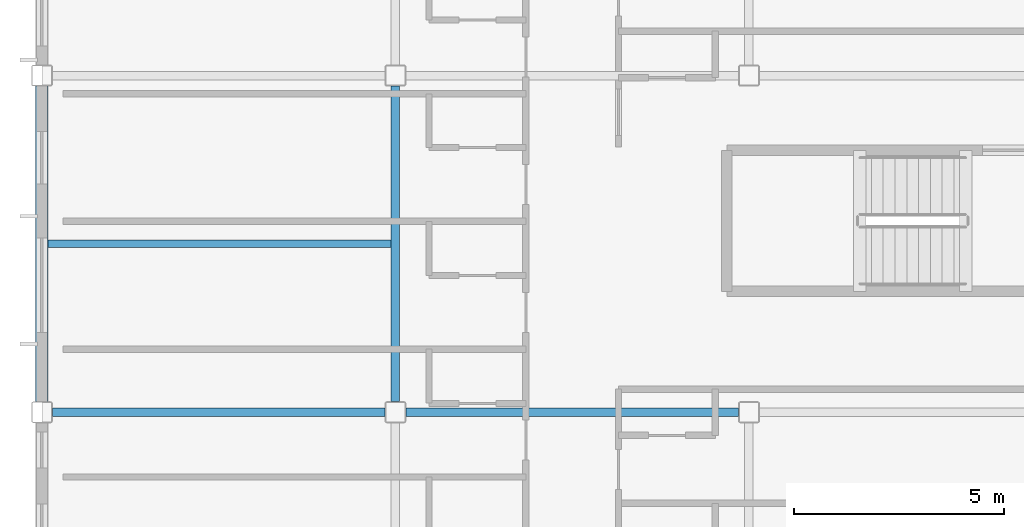
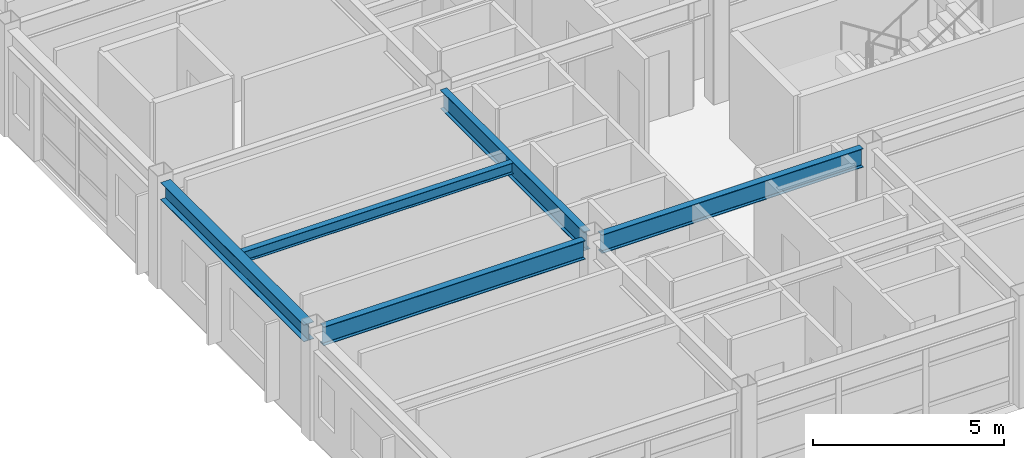
# One storey, part 5 of 35: 5 beams.
"""IFC4 building model written with IfcOpenShell, lengths in metres."""

from ifc_helpers import new_model, si_unit, direction, frame, origin, origin_2d, place, context, subcontext, project, spatial, i_section, extrude, material, material_profile, profile_set, type_object, element, save


model = new_model("IFC4")

# Units and contexts
model_context = context("Model", 3, precision=1e-05, world=origin(), true_north=direction((0.0, 1.0)))
body_context = subcontext(model_context, "Body", "Model", "MODEL_VIEW")
ifc_project = project(units=[si_unit("LENGTHUNIT", "METRE"), si_unit("AREAUNIT", "SQUARE_METRE"), si_unit("VOLUMEUNIT", "CUBIC_METRE"), si_unit("PLANEANGLEUNIT", "RADIAN"), si_unit("MASSUNIT", "GRAM", prefix="KILO")], contexts=[model_context])

# Site, building, storey
site_placement = place(None, origin())
site = spatial("IfcSite", under=ifc_project, at=site_placement, CompositionType="ELEMENT")
building_placement = place(site_placement, origin())
building = spatial("IfcBuilding", under=site, at=building_placement, Name="Kazehara Bluff Congress Hotel", CompositionType="ELEMENT")
storey_placement = place(building_placement, frame((0.0, 0.0, 35.39990234375)))
storey = spatial("IfcBuildingStorey", under=building, at=storey_placement, Name="L08", CompositionType="ELEMENT", Elevation=35.39990234375)

# Beams
ifc_material_1 = material(Name="Steel SN490B", Category="steel")
ifc_material_profile_1 = material_profile(ifc_material_1, i_section(OverallWidth=0.199951171875, OverallDepth=0.60009765625, WebThickness=0.010986328125, FlangeThickness=0.01708984375, FilletRadius=0.012939453125, at=origin_2d()))
ifc_profile_set_1 = profile_set([ifc_material_profile_1], Name="Steel SN490B")
beam_type_1 = type_object("IfcBeamType", Name="TP-G-02", PredefinedType="BEAM", material=ifc_profile_set_1)
beam_1_placement = place(storey_placement, frame((152.10009765625, 16.25, 3.080078125), z_axis=(0.0, 1.0, 0.0), x_axis=(-1.0, 0.0, 0.0)))
element("IfcBeam", 1, at=beam_1_placement, inside=storey, type_object=beam_type_1, Name="L08 girder G-02 12", PredefinedType="BEAM", context=body_context, shape_type="SweptSolid", body=[
    extrude(i_section(OverallWidth=0.199951171875, OverallDepth=0.60009765625, WebThickness=0.010986328125, FlangeThickness=0.01708984375, FilletRadius=0.012939453125, at=origin_2d()), origin(), (0.0, 0.0, 1.0), 7.5),
])
beam_2_placement = place(storey_placement, frame((143.949951171875, 16.0, 3.080078125), z_axis=(1.0, 0.0, 0.0), x_axis=(0.0, 1.0, 0.0)))
element("IfcBeam", 2, at=beam_2_placement, inside=storey, type_object=beam_type_1, Name="L08 girder G-02 39", PredefinedType="BEAM", context=body_context, shape_type="SweptSolid", body=[
    extrude(i_section(OverallWidth=0.199951171875, OverallDepth=0.60009765625, WebThickness=0.010986328125, FlangeThickness=0.01708984375, FilletRadius=0.012939453125, at=origin_2d()), origin(), (0.0, 0.0, 1.0), 7.900146484375),
])
beam_3_placement = place(storey_placement, frame((152.35009765625, 16.0, 3.080078125), z_axis=(1.0, 0.0, 0.0), x_axis=(0.0, 1.0, 0.0)))
element("IfcBeam", 3, at=beam_3_placement, inside=storey, type_object=beam_type_1, Name="L08 girder G-02 40", PredefinedType="BEAM", context=body_context, shape_type="SweptSolid", body=[
    extrude(i_section(OverallWidth=0.199951171875, OverallDepth=0.60009765625, WebThickness=0.010986328125, FlangeThickness=0.01708984375, FilletRadius=0.012939453125, at=origin_2d()), origin(), (0.0, 0.0, 1.0), 7.89990234375),
])
ifc_material_2 = material(Name="Steel SN400B", Category="steel")
ifc_material_profile_2 = material_profile(ifc_material_2, i_section(OverallWidth=0.175048828125, OverallDepth=0.35009765625, WebThickness=0.007080078125, FlangeThickness=0.010986328125, FilletRadius=0.012939453125, at=origin_2d()))
ifc_profile_set_2 = profile_set([ifc_material_profile_2], Name="Steel SN400B")
beam_type_2 = type_object("IfcBeamType", Name="TP-J-02", PredefinedType="JOIST", material=ifc_profile_set_2)
beam_4_placement = place(storey_placement, frame((143.85009765625, 20.0, 3.205078125), z_axis=(1.0, 0.0, 0.0), x_axis=(0.0, 1.0, 0.0)))
element("IfcBeam", 4, at=beam_4_placement, inside=storey, type_object=beam_type_2, Name="L08 secondary joist J-02 2", PredefinedType="JOIST", context=body_context, shape_type="SweptSolid", body=[
    extrude(i_section(OverallWidth=0.175048828125, OverallDepth=0.35009765625, WebThickness=0.007080078125, FlangeThickness=0.010986328125, FilletRadius=0.012939453125, at=origin_2d()), origin(), (0.0, 0.0, 1.0), 8.14990234375),
])
ifc_material_3 = material(Name="Steel SN490B", Category="steel")
ifc_material_profile_3 = material_profile(ifc_material_3, i_section(OverallWidth=0.300048828125, OverallDepth=0.550048828125, WebThickness=0.010986328125, FlangeThickness=0.01806640625, FilletRadius=0.012939453125, at=origin_2d()))
ifc_profile_set_3 = profile_set([ifc_material_profile_3], Name="Steel SN490B")
beam_type_3 = type_object("IfcBeamType", Name="TP-SP-01", PredefinedType="SPANDREL", material=ifc_profile_set_3)
beam_5_placement = place(storey_placement, frame((143.699951171875, 16.25, 3.10498046875), z_axis=(0.0, 1.0, 0.0), x_axis=(-1.0, 0.0, 0.0)))
element("IfcBeam", 5, at=beam_5_placement, inside=storey, type_object=beam_type_3, Name="L08 girder SP-01 2", PredefinedType="SPANDREL", context=body_context, shape_type="SweptSolid", body=[
    extrude(i_section(OverallWidth=0.300048828125, OverallDepth=0.550048828125, WebThickness=0.010986328125, FlangeThickness=0.01806640625, FilletRadius=0.012939453125, at=origin_2d()), origin(), (0.0, 0.0, 1.0), 7.5),
])

save(model, "model.ifc")
